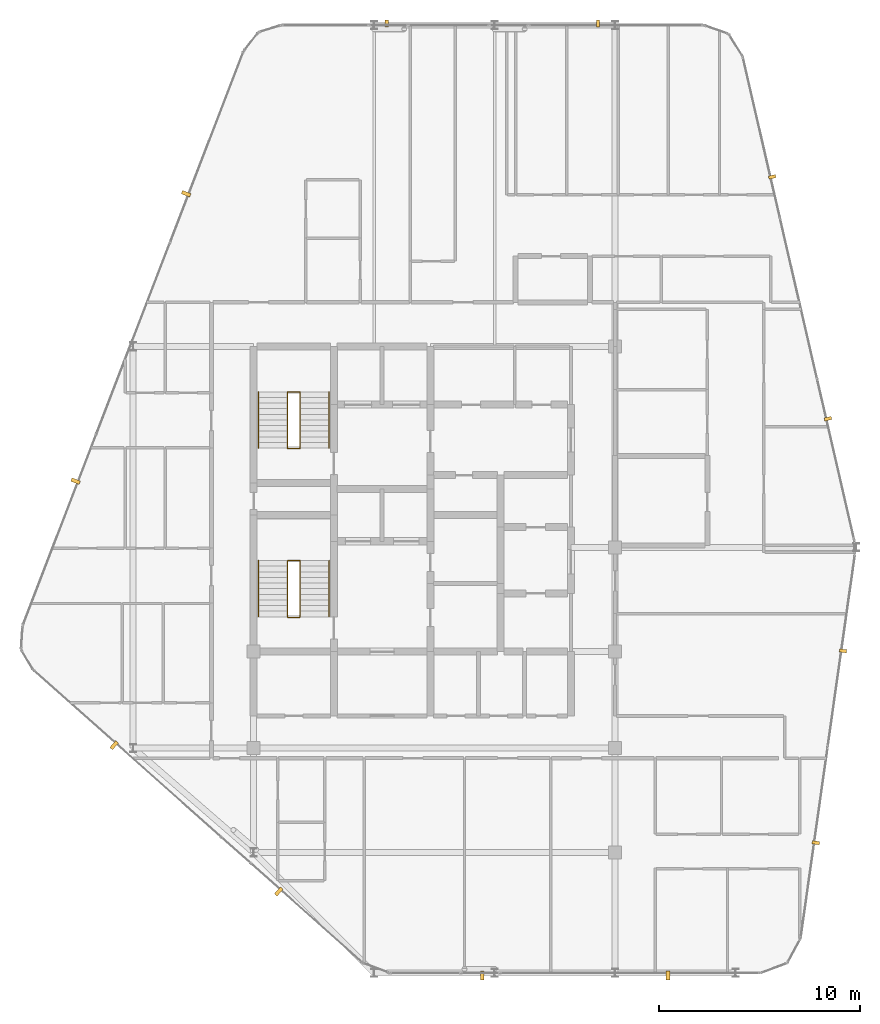
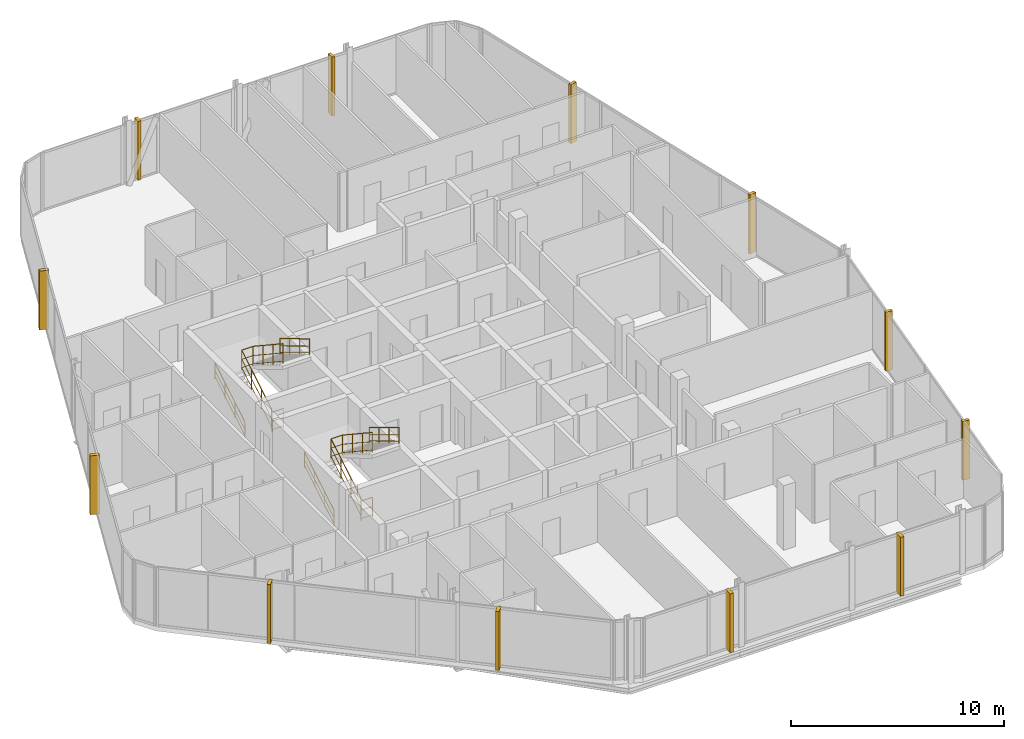
# One storey, part 27 of 27: 12 coverings, 8 railings.
"""IFC4 building model written with IfcOpenShell, lengths in metres."""

import ifcopenshell
import ifcopenshell.guid

model = None  # the IFC model being written
_history = None  # IfcOwnerHistory: only IFC2X3 demands one
_inside = {}  # id of a spatial element -> (the spatial element, [elements in it])
_under = {}  # id of a project, library or spatial element -> (it, [spatial elements below it])
_declared = {}  # id of a project -> (the project, [libraries it declares])
_typed = {}  # id of a type object -> (the type object, [elements of that type])
_made_of = {}  # id of a material, layer set ... -> (it, [elements and type objects made of it])


def new_model(schema):
    """Start an empty IFC model of exactly this schema.

    Asked for "IFC4X3", IfcOpenShell would pick the latest addendum, in which some entities
    have other attributes; the version numbers below select the first issue.
    IFC2X3 requires an IfcOwnerHistory on every rooted entity: one is made here for all.
    """
    global model, _history
    if schema == "IFC4X3":
        model = ifcopenshell.file(schema_version=(4, 3, 0, 0))
    else:
        model = ifcopenshell.file(schema=schema)
    _inside.clear()
    _under.clear()
    _declared.clear()
    _typed.clear()
    _made_of.clear()
    _history = None
    if model.schema == "IFC2X3":
        org = make("IfcOrganization", Name="unknown")
        user = make(
            "IfcPersonAndOrganization",
            ThePerson=make("IfcPerson", FamilyName="unknown"),
            TheOrganization=org,
        )
        app = make(
            "IfcApplication",
            ApplicationDeveloper=org,
            Version="unknown",
            ApplicationFullName="unknown",
            ApplicationIdentifier="unknown",
        )
        _history = make(
            "IfcOwnerHistory",
            OwningUser=user,
            OwningApplication=app,
            ChangeAction="ADDED",
            CreationDate=0,
        )
    return model


def make(cls, **values):
    """One entity of the class cls with the attributes given. An attribute that is None is left unset."""
    return model.create_entity(
        cls, **{name: value for name, value in values.items() if value is not None}
    )


def rooted(cls, **values):
    """An entity with a GlobalId (a new one), such as an element, a storey or a relation."""
    return make(cls, GlobalId=ifcopenshell.guid.new(), OwnerHistory=_history, **values)


def si_unit(unit_type, name, prefix=None):
    """IfcSIUnit, for example si_unit("LENGTHUNIT", "METRE", prefix="MILLI")."""
    return make("IfcSIUnit", UnitType=unit_type, Prefix=prefix, Name=name)


def assignment(units):
    """IfcUnitAssignment: the units of a project."""
    return None if units is None else make("IfcUnitAssignment", Units=units)


def point(xyz):
    """IfcCartesianPoint."""
    return None if xyz is None else make("IfcCartesianPoint", Coordinates=xyz)


def direction(xyz):
    """IfcDirection."""
    return None if xyz is None else make("IfcDirection", DirectionRatios=xyz)


def frame(location, z_axis=None, x_axis=None):
    """IfcAxis2Placement3D, a coordinate frame: its origin and axes. An axis left out is left unset."""
    return make(
        "IfcAxis2Placement3D",
        Location=point(location),
        Axis=direction(z_axis),
        RefDirection=direction(x_axis),
    )


def frame_2d(location, x_axis=None):
    """IfcAxis2Placement2D, a coordinate frame in the plane: its origin and x axis."""
    return make(
        "IfcAxis2Placement2D", Location=point(location), RefDirection=direction(x_axis)
    )


def origin():
    """The frame at (0, 0, 0) with its axes left unset."""
    return frame((0.0, 0.0, 0.0))


def origin_2d():
    """The frame at (0, 0) in the plane with its x axis left unset."""
    return frame_2d((0.0, 0.0))


def place(relative_to, where):
    """IfcLocalPlacement: puts the frame where relative to a parent placement (None: the world)."""
    return make(
        "IfcLocalPlacement", PlacementRelTo=relative_to, RelativePlacement=where
    )


def context(
    kind, dimensions, precision=None, world=None, true_north=None, identifier=None
):
    """IfcGeometricRepresentationContext, for example the 3D "Model" context."""
    return make(
        "IfcGeometricRepresentationContext",
        ContextIdentifier=identifier,
        ContextType=kind,
        CoordinateSpaceDimension=dimensions,
        Precision=precision,
        WorldCoordinateSystem=world,
        TrueNorth=true_north,
    )


def subcontext(parent, identifier, kind, view, scale=None):
    """IfcGeometricRepresentationSubContext, for example "Body" below "Model"."""
    return make(
        "IfcGeometricRepresentationSubContext",
        ContextIdentifier=identifier,
        ContextType=kind,
        ParentContext=parent,
        TargetScale=scale,
        TargetView=view,
    )


def project(units=None, contexts=None):
    """IfcProject with its units and contexts."""
    return rooted(
        "IfcProject",
        Name="project",
        RepresentationContexts=contexts,
        UnitsInContext=assignment(units),
    )


def spatial(cls, under=None, at=None, **own):
    """A site, building, storey or space (cls), placed at a placement, below another one or the project."""
    s = rooted(cls, ObjectPlacement=at, **own)
    if under is not None:
        _under.setdefault(under.id(), (under, []))[1].append(s)
    return s


def profile(cls, at=None, kind="AREA", **sizes):
    """A parametric profile (cls). Its sizes go by their IFC names, for example OverallWidth=200.0."""
    return make(cls, ProfileType=kind, Position=at, **sizes)


def rectangle(**sizes):
    """IfcRectangleProfileDef."""
    return profile("IfcRectangleProfileDef", **sizes)


def circle(**sizes):
    """IfcCircleProfileDef."""
    return profile("IfcCircleProfileDef", **sizes)


def extrude(swept, where, along, depth):
    """IfcExtrudedAreaSolid: the profile swept, set in the frame where, extruded along a direction by depth."""
    return make(
        "IfcExtrudedAreaSolid",
        SweptArea=swept,
        Position=where,
        ExtrudedDirection=direction(along),
        Depth=depth,
    )


def shape(context_of_items, identifier, shape_type, items):
    """IfcShapeRepresentation: the items that make up one representation, for example the "Body"."""
    return make(
        "IfcShapeRepresentation",
        ContextOfItems=context_of_items,
        RepresentationIdentifier=identifier,
        RepresentationType=shape_type,
        Items=items,
    )


def material(Name=None, Category=None):
    """IfcMaterial."""
    return make("IfcMaterial", Name=Name, Category=Category)


def layer(
    of_material, thickness, ventilated=None, Name=None, Category=None, Priority=None
):
    """IfcMaterialLayer: one layer of a wall or slab, of a material (None: an air gap)."""
    return make(
        "IfcMaterialLayer",
        Material=of_material,
        LayerThickness=thickness,
        IsVentilated=ventilated,
        Name=Name,
        Category=Category,
        Priority=Priority,
    )


def layer_set(layers, Name=None):
    """IfcMaterialLayerSet."""
    return make("IfcMaterialLayerSet", MaterialLayers=layers, LayerSetName=Name)


def made_of(thing, what):
    """Note that an element or type object is made of a material, layer set ...; save() writes the relation."""
    if what is not None:
        _made_of.setdefault(what.id(), (what, []))[1].append(thing)
    return thing


def type_object(cls, material=None, **own):
    """A type object (cls), such as IfcWallType, which elements share."""
    return made_of(rooted(cls, **own), material)


def element(
    cls,
    number,
    at=None,
    inside=None,
    cuts=None,
    type_object=None,
    material=None,
    context=None,
    identifier="Body",
    shape_type=None,
    held_by="IfcProductDefinitionShape",
    body=None,
    shapes=None,
    **own,
):
    """One element of the class cls, such as IfcWall. Its Tag is "e" and its number.

    at: its placement. inside: the storey or other place that contains it. cuts: it is an
    opening in that element (IfcRelVoidsElement). A single representation is given by context,
    identifier, shape_type and body (its items); several are given by shapes. held_by: the class
    of the entity that holds the representations. save() writes the other relations.
    """
    e = rooted(cls, Tag="e%d" % number, ObjectPlacement=at, **own)
    if body is not None:
        shapes = [shape(context, identifier, shape_type, body)]
    if shapes is not None:
        e.Representation = make(held_by, Representations=shapes)
    if inside is not None:
        _inside.setdefault(inside.id(), (inside, []))[1].append(e)
    if cuts is not None:
        rooted(
            "IfcRelVoidsElement", RelatingBuildingElement=cuts, RelatedOpeningElement=e
        )
    if type_object is not None:
        _typed.setdefault(type_object.id(), (type_object, []))[1].append(e)
    return made_of(e, material)


def aggregate(whole, parts):
    """IfcRelAggregates: a whole, such as a stair, and the parts it consists of."""
    return rooted("IfcRelAggregates", RelatingObject=whole, RelatedObjects=parts)


def save(model, path):
    """Write the relations noted so far, then the file.

    IfcRelAggregates (storeys below a building ...), IfcRelContainedInSpatialStructure (elements
    in a storey), IfcRelDefinesByType, IfcRelAssociatesMaterial and IfcRelDeclares: one each for
    every whole, place, type object, material and project.
    """
    for whole, parts in _under.values():
        aggregate(whole, parts)
    for where, things in _inside.values():
        rooted(
            "IfcRelContainedInSpatialStructure",
            RelatedElements=things,
            RelatingStructure=where,
        )
    for kind, things in _typed.values():
        rooted("IfcRelDefinesByType", RelatedObjects=things, RelatingType=kind)
    for what, things in _made_of.values():
        rooted("IfcRelAssociatesMaterial", RelatedObjects=things, RelatingMaterial=what)
    for by, libraries in _declared.values():
        rooted("IfcRelDeclares", RelatingContext=by, RelatedDefinitions=libraries)
    model.write(path)


model = new_model("IFC4")

# Units and contexts
model_context = context("Model", 3, precision=1e-05, world=origin(), true_north=direction((0.0, 1.0)))
body_context = subcontext(model_context, "Body", "Model", "MODEL_VIEW")
ifc_project = project(units=[si_unit("LENGTHUNIT", "METRE"), si_unit("AREAUNIT", "SQUARE_METRE"), si_unit("VOLUMEUNIT", "CUBIC_METRE"), si_unit("PLANEANGLEUNIT", "RADIAN"), si_unit("MASSUNIT", "GRAM", prefix="KILO")], contexts=[model_context])

# Site, building, storey
site_placement = place(None, origin())
site = spatial("IfcSite", under=ifc_project, at=site_placement, CompositionType="ELEMENT")
building_placement = place(site_placement, origin())
building = spatial("IfcBuilding", under=site, at=building_placement, Name="Keshet Zoharim Tower", CompositionType="ELEMENT")
storey_placement = place(building_placement, frame((0.0, 0.0, 295.39990234375)))
storey = spatial("IfcBuildingStorey", under=building, at=storey_placement, Name="L74", CompositionType="ELEMENT", Elevation=295.39990234375)

# Coverings
ifc_material_1 = material(Name="Concrete C50/60 precast", Category="concrete")
covering_type_1 = type_object("IfcCoveringType", Name="FIN-SOL-360", PredefinedType="CLADDING", material=ifc_material_1)
for number, where, z_axis, x_axis, name in (
    (1, (21.633056640625, 53.97998046875, 0.000244140625), (0.0, 0.0, 1.0), (1.0, 0.0, 0.0), "L74 Vertical Precast Solar Fin 03"),
    (2, (32.14990234375, 53.97998046875, 0.000244140625), (0.0, 0.0, 1.0), (1.0, 0.0, 0.0), "L74 Vertical Precast Solar Fin 04"),
    (3, (40.824951171875, 46.345947265625, 0.000244140625), (0.0, 0.0, 1.0), (0.224829963294, -0.974398012932, 0.0), "L74 Vertical Precast Solar Fin 05"),
    (4, (43.60400390625, 34.302001953125, 0.000244140625), (0.0, 0.0, 1.0), (0.224829963294, -0.974398012932, 0.0), "L74 Vertical Precast Solar Fin 06"),
    (5, (44.35107421875, 22.742919921875, 0.000244140625), (0.0, 0.0, 1.0), (-0.140137464177, -0.990132057422, 0.0), "L74 Vertical Precast Solar Fin 07"),
    (6, (42.998046875, 13.18701171875, 0.000244140625), (0.0, 0.0, 1.0), (-0.140137464177, -0.990132057422, 0.0), "L74 Vertical Precast Solar Fin 08"),
):
    element("IfcCovering", number, at=place(storey_placement, frame(where, z_axis=z_axis, x_axis=x_axis)), inside=storey, type_object=covering_type_1, Name=name, PredefinedType="CLADDING", context=body_context, shape_type="SweptSolid", body=[
        extrude(rectangle(XDim=0.159912109375, YDim=0.360107421875, at=origin_2d()), origin(), (0.0, 0.0, 1.0), 3.3798828125),
    ])
covering_type_2 = type_object("IfcCoveringType", Name="FIN-SOL-450", PredefinedType="CLADDING", material=ifc_material_1)
for number, where, z_axis, x_axis, name in (
    (7, (6.133056640625, 31.194091796875, 0.000244140625), (0.0, 0.0, 1.0), (0.358990003907, 0.933341404361, 0.0), "L74 Vertical Precast Solar Fin 01"),
    (8, (11.637939453125, 45.507080078125, 0.000244140625), (0.0, 0.0, 1.0), (0.358990003907, 0.933341404361, 0.0), "L74 Vertical Precast Solar Fin 02"),
    (9, (35.636962890625, 6.574951171875, 0.000244140625), (0.0, 0.0, 1.0), (-1.0, 0.0, 0.0), "L74 Vertical Precast Solar Fin 09"),
    (10, (26.385986328125, 6.574951171875, 0.000244140625), (0.0, 0.0, 1.0), (-1.0, 0.0, 0.0), "L74 Vertical Precast Solar Fin 10"),
    (11, (16.25, 10.7548828125, 0.000244140625), (0.0, 0.0, 1.0), (-0.747411833563, 0.66436100958, 0.0), "L74 Vertical Precast Solar Fin 11"),
    (12, (8.051025390625, 18.04296875, 0.000244140625), (0.0, 0.0, 1.0), (-0.747411833563, 0.66436100958, 0.0), "L74 Vertical Precast Solar Fin 12"),
):
    element("IfcCovering", number, at=place(storey_placement, frame(where, z_axis=z_axis, x_axis=x_axis)), inside=storey, type_object=covering_type_2, Name=name, PredefinedType="CLADDING", context=body_context, shape_type="SweptSolid", body=[
        extrude(rectangle(XDim=0.179931640625, YDim=0.449951171875, at=origin_2d()), origin(), (0.0, 0.0, 1.0), 3.3798828125),
    ])

# Railings
ifc_material_2 = material(Name="Steel S355", Category="steel")
ifc_layer_1 = layer(ifc_material_2, 0.050048828125)
ifc_layer_set_1 = layer_set([ifc_layer_1], Name="Steel S355")
railing_type_1 = type_object("IfcRailingType", Name="RL-HND-092", PredefinedType="HANDRAIL", material=ifc_layer_set_1)
railing_1_placement = place(storey_placement, frame((15.239990234375, 24.43994140625, 0.168212890625)))
element("IfcRailing", 13, at=railing_1_placement, inside=storey, type_object=railing_type_1, Name="L74 ST-01 Flight 1 Wall Handrail", PredefinedType="HANDRAIL", context=body_context, shape_type="SweptSolid", body=[
    extrude(circle(Radius=0.02392578125, at=origin_2d()), frame((0.0, 0.0, 0.89599609375), z_axis=(0.0, 0.857242210791, 0.514913383045), x_axis=(-1.0, 0.0, 0.0)), (0.0, 0.0, 1.0), 3.266357421875),
    extrude(circle(Radius=0.01611328125, at=origin_2d()), frame((0.0, 0.0, 0.478271484375), z_axis=(0.0, 0.857242210791, 0.514913383045), x_axis=(-1.0, 0.0, 0.0)), (0.0, 0.0, 1.0), 3.266357421875),
    extrude(circle(Radius=0.01611328125, at=origin_2d()), frame((0.0, 0.0, 0.1201171875), z_axis=(0.0, 0.857242210791, 0.514913383045), x_axis=(-1.0, 0.0, 0.0)), (0.0, 0.0, 1.0), 3.266357421875),
    extrude(circle(Radius=0.02099609375, at=origin_2d()), origin(), (0.0, 0.0, 1.0), 0.871826171875),
    extrude(circle(Radius=0.02099609375, at=origin_2d()), frame((0.0, 0.933349609375, 0.560546875)), (0.0, 0.0, 1.0), 0.871826171875),
    extrude(circle(Radius=0.02099609375, at=origin_2d()), frame((0.0, 1.86669921875, 1.121337890625)), (0.0, 0.0, 1.0), 0.871826171875),
    extrude(circle(Radius=0.02099609375, at=origin_2d()), frame((0.0, 2.800048828125, 1.681884765625)), (0.0, 0.0, 1.0), 0.871826171875),
])
railing_2_placement = place(storey_placement, frame((18.760009765625, 27.239990234375, 2.018310546875)))
element("IfcRailing", 14, at=railing_2_placement, inside=storey, type_object=railing_type_1, Name="L74 ST-01 Flight 2 Wall Handrail", PredefinedType="HANDRAIL", context=body_context, shape_type="SweptSolid", body=[
    extrude(circle(Radius=0.02392578125, at=origin_2d()), frame((0.0, 0.0, 0.89599609375), z_axis=(0.0, -0.857242210791, 0.514913383045), x_axis=(1.0, 0.0, 0.0)), (0.0, 0.0, 1.0), 3.266357421875),
    extrude(circle(Radius=0.01611328125, at=origin_2d()), frame((0.0, 0.0, 0.478271484375), z_axis=(0.0, -0.857242210791, 0.514913383045), x_axis=(1.0, 0.0, 0.0)), (0.0, 0.0, 1.0), 3.266357421875),
    extrude(circle(Radius=0.01611328125, at=origin_2d()), frame((0.0, 0.0, 0.1201171875), z_axis=(0.0, -0.857242210791, 0.514913383045), x_axis=(1.0, 0.0, 0.0)), (0.0, 0.0, 1.0), 3.266357421875),
    extrude(circle(Radius=0.02099609375, at=origin_2d()), origin(), (0.0, 0.0, 1.0), 0.871826171875),
    extrude(circle(Radius=0.02099609375, at=origin_2d()), frame((0.0, -0.933349609375, 0.560546875)), (0.0, 0.0, 1.0), 0.871826171875),
    extrude(circle(Radius=0.02099609375, at=origin_2d()), frame((0.0, -1.86669921875, 1.121337890625)), (0.0, 0.0, 1.0), 0.871826171875),
    extrude(circle(Radius=0.02099609375, at=origin_2d()), frame((0.0, -2.800048828125, 1.681884765625)), (0.0, 0.0, 1.0), 0.871826171875),
])
railing_3_placement = place(storey_placement, frame((15.239990234375, 32.840087890625, 0.168212890625)))
element("IfcRailing", 15, at=railing_3_placement, inside=storey, type_object=railing_type_1, Name="L74 ST-02 Flight 1 Wall Handrail", PredefinedType="HANDRAIL", context=body_context, shape_type="SweptSolid", body=[
    extrude(circle(Radius=0.02392578125, at=origin_2d()), frame((0.0, 0.0, 0.89599609375), z_axis=(0.0, 0.857222391501, 0.514946377315), x_axis=(-1.0, 0.0, 0.0)), (0.0, 0.0, 1.0), 3.26611328125),
    extrude(circle(Radius=0.01611328125, at=origin_2d()), frame((0.0, 0.0, 0.478271484375), z_axis=(0.0, 0.857222391501, 0.514946377315), x_axis=(-1.0, 0.0, 0.0)), (0.0, 0.0, 1.0), 3.26611328125),
    extrude(circle(Radius=0.01611328125, at=origin_2d()), frame((0.0, 0.0, 0.1201171875), z_axis=(0.0, 0.857222391501, 0.514946377315), x_axis=(-1.0, 0.0, 0.0)), (0.0, 0.0, 1.0), 3.26611328125),
    extrude(circle(Radius=0.02099609375, at=origin_2d()), origin(), (0.0, 0.0, 1.0), 0.871826171875),
    extrude(circle(Radius=0.02099609375, at=origin_2d()), frame((0.0, 0.933349609375, 0.560546875)), (0.0, 0.0, 1.0), 0.871826171875),
    extrude(circle(Radius=0.02099609375, at=origin_2d()), frame((0.0, 1.866455078125, 1.121337890625)), (0.0, 0.0, 1.0), 0.871826171875),
    extrude(circle(Radius=0.02099609375, at=origin_2d()), frame((0.0, 2.7998046875, 1.681884765625)), (0.0, 0.0, 1.0), 0.871826171875),
])
railing_4_placement = place(storey_placement, frame((18.760009765625, 35.639892578125, 2.018310546875)))
element("IfcRailing", 16, at=railing_4_placement, inside=storey, type_object=railing_type_1, Name="L74 ST-02 Flight 2 Wall Handrail", PredefinedType="HANDRAIL", context=body_context, shape_type="SweptSolid", body=[
    extrude(circle(Radius=0.02392578125, at=origin_2d()), frame((0.0, 0.0, 0.89599609375), z_axis=(0.0, -0.857222391501, 0.514946377315), x_axis=(1.0, 0.0, 0.0)), (0.0, 0.0, 1.0), 3.26611328125),
    extrude(circle(Radius=0.01611328125, at=origin_2d()), frame((0.0, 0.0, 0.478271484375), z_axis=(0.0, -0.857222391501, 0.514946377315), x_axis=(1.0, 0.0, 0.0)), (0.0, 0.0, 1.0), 3.26611328125),
    extrude(circle(Radius=0.01611328125, at=origin_2d()), frame((0.0, 0.0, 0.1201171875), z_axis=(0.0, -0.857222391501, 0.514946377315), x_axis=(1.0, 0.0, 0.0)), (0.0, 0.0, 1.0), 3.26611328125),
    extrude(circle(Radius=0.02099609375, at=origin_2d()), origin(), (0.0, 0.0, 1.0), 0.871826171875),
    extrude(circle(Radius=0.02099609375, at=origin_2d()), frame((0.0, -0.933349609375, 0.560546875)), (0.0, 0.0, 1.0), 0.871826171875),
    extrude(circle(Radius=0.02099609375, at=origin_2d()), frame((0.0, -1.866455078125, 1.121337890625)), (0.0, 0.0, 1.0), 0.871826171875),
    extrude(circle(Radius=0.02099609375, at=origin_2d()), frame((0.0, -2.7998046875, 1.681884765625)), (0.0, 0.0, 1.0), 0.871826171875),
])
ifc_layer_2 = layer(ifc_material_2, 0.06005859375)
ifc_layer_set_2 = layer_set([ifc_layer_2], Name="Steel S355")
railing_type_2 = type_object("IfcRailingType", Name="RL-STG-115", PredefinedType="GUARDRAIL", material=ifc_layer_set_2)
railing_5_placement = place(storey_placement, frame((16.68994140625, 24.43994140625, 0.168212890625)))
element("IfcRailing", 17, at=railing_5_placement, inside=storey, type_object=railing_type_2, Name="L74 ST-01 Inner Well Guardrail", PredefinedType="GUARDRAIL", context=body_context, shape_type="SweptSolid", body=[
    extrude(circle(Radius=0.02392578125, at=origin_2d()), frame((0.0, 0.0, 1.1259765625), z_axis=(0.0, 0.857242210791, 0.514913383045), x_axis=(-1.0, 0.0, 0.0)), (0.0, 0.0, 1.0), 3.266357421875),
    extrude(circle(Radius=0.01611328125, at=origin_2d()), frame((0.0, 0.0, 0.597900390625), z_axis=(0.0, 0.857242210791, 0.514913383045), x_axis=(-1.0, 0.0, 0.0)), (0.0, 0.0, 1.0), 3.266357421875),
    extrude(circle(Radius=0.01611328125, at=origin_2d()), frame((0.0, 0.0, 0.1201171875), z_axis=(0.0, 0.857242210791, 0.514913383045), x_axis=(-1.0, 0.0, 0.0)), (0.0, 0.0, 1.0), 3.266357421875),
    extrude(circle(Radius=0.02392578125, at=origin_2d()), frame((0.0, 2.800048828125, 2.8076171875), z_axis=(1.0, 0.0, 0.0), x_axis=(0.0, 1.0, 0.0)), (0.0, 0.0, 1.0), 0.6201171875),
    extrude(circle(Radius=0.01611328125, at=origin_2d()), frame((0.0, 2.800048828125, 2.27978515625), z_axis=(1.0, 0.0, 0.0), x_axis=(0.0, 1.0, 0.0)), (0.0, 0.0, 1.0), 0.6201171875),
    extrude(circle(Radius=0.01611328125, at=origin_2d()), frame((0.0, 2.800048828125, 1.802001953125), z_axis=(1.0, 0.0, 0.0), x_axis=(0.0, 1.0, 0.0)), (0.0, 0.0, 1.0), 0.6201171875),
    extrude(circle(Radius=0.02392578125, at=origin_2d()), frame((0.6201171875, 2.800048828125, 2.8076171875), z_axis=(0.0, -0.834326358476, 0.551270829586), x_axis=(1.0, 0.0, 0.0)), (0.0, 0.0, 1.0), 3.35595703125),
    extrude(circle(Radius=0.01611328125, at=origin_2d()), frame((0.6201171875, 2.800048828125, 2.27978515625), z_axis=(0.0, -0.834326358476, 0.551270829586), x_axis=(1.0, 0.0, 0.0)), (0.0, 0.0, 1.0), 3.35595703125),
    extrude(circle(Radius=0.01611328125, at=origin_2d()), frame((0.6201171875, 2.800048828125, 1.802001953125), z_axis=(0.0, -0.834326358476, 0.551270829586), x_axis=(1.0, 0.0, 0.0)), (0.0, 0.0, 1.0), 3.35595703125),
    extrude(circle(Radius=0.02099609375, at=origin_2d()), origin(), (0.0, 0.0, 1.0), 1.101806640625),
    extrude(circle(Radius=0.02099609375, at=origin_2d()), frame((0.0, 0.933349609375, 0.560546875)), (0.0, 0.0, 1.0), 1.101806640625),
    extrude(circle(Radius=0.02099609375, at=origin_2d()), frame((0.0, 1.86669921875, 1.121337890625)), (0.0, 0.0, 1.0), 1.101806640625),
    extrude(circle(Radius=0.02099609375, at=origin_2d()), frame((0.0, 2.800048828125, 1.681884765625)), (0.0, 0.0, 1.0), 1.101806640625),
    extrude(circle(Radius=0.02099609375, at=origin_2d()), frame((0.6201171875, 2.800048828125, 1.681884765625)), (0.0, 0.0, 1.0), 1.101806640625),
    extrude(circle(Radius=0.02099609375, at=origin_2d()), frame((0.6201171875, 1.86669921875, 2.298583984375)), (0.0, 0.0, 1.0), 1.101806640625),
    extrude(circle(Radius=0.02099609375, at=origin_2d()), frame((0.6201171875, 0.933349609375, 2.915283203125)), (0.0, 0.0, 1.0), 1.101806640625),
    extrude(circle(Radius=0.02099609375, at=origin_2d()), frame((0.6201171875, 0.0, 3.531982421875)), (0.0, 0.0, 1.0), 1.101806640625),
])
railing_6_placement = place(storey_placement, frame((16.68994140625, 24.409912109375, 0.0)))
element("IfcRailing", 18, at=railing_6_placement, inside=storey, type_object=railing_type_2, Name="L74 ST-01 Stairwell Floor Guardrail", PredefinedType="GUARDRAIL", context=body_context, shape_type="SweptSolid", body=[
    extrude(circle(Radius=0.02392578125, at=origin_2d()), frame((0.0, 0.0, 1.1259765625), z_axis=(1.0, 0.0, 0.0), x_axis=(0.0, 1.0, 0.0)), (0.0, 0.0, 1.0), 0.6201171875),
    extrude(circle(Radius=0.01611328125, at=origin_2d()), frame((0.0, 0.0, 0.597900390625), z_axis=(1.0, 0.0, 0.0), x_axis=(0.0, 1.0, 0.0)), (0.0, 0.0, 1.0), 0.6201171875),
    extrude(circle(Radius=0.01611328125, at=origin_2d()), frame((0.0, 0.0, 0.1201171875), z_axis=(1.0, 0.0, 0.0), x_axis=(0.0, 1.0, 0.0)), (0.0, 0.0, 1.0), 0.6201171875),
    extrude(circle(Radius=0.02099609375, at=origin_2d()), origin(), (0.0, 0.0, 1.0), 1.101806640625),
    extrude(circle(Radius=0.02099609375, at=origin_2d()), frame((0.6201171875, 0.0, 0.0)), (0.0, 0.0, 1.0), 1.101806640625),
])
railing_7_placement = place(storey_placement, frame((16.68994140625, 32.840087890625, 0.168212890625)))
element("IfcRailing", 19, at=railing_7_placement, inside=storey, type_object=railing_type_2, Name="L74 ST-02 Inner Well Guardrail", PredefinedType="GUARDRAIL", context=body_context, shape_type="SweptSolid", body=[
    extrude(circle(Radius=0.02392578125, at=origin_2d()), frame((0.0, 0.0, 1.1259765625), z_axis=(0.0, 0.857222391501, 0.514946377315), x_axis=(-1.0, 0.0, 0.0)), (0.0, 0.0, 1.0), 3.26611328125),
    extrude(circle(Radius=0.01611328125, at=origin_2d()), frame((0.0, 0.0, 0.597900390625), z_axis=(0.0, 0.857222391501, 0.514946377315), x_axis=(-1.0, 0.0, 0.0)), (0.0, 0.0, 1.0), 3.26611328125),
    extrude(circle(Radius=0.01611328125, at=origin_2d()), frame((0.0, 0.0, 0.1201171875), z_axis=(0.0, 0.857222391501, 0.514946377315), x_axis=(-1.0, 0.0, 0.0)), (0.0, 0.0, 1.0), 3.26611328125),
    extrude(circle(Radius=0.02392578125, at=origin_2d()), frame((0.0, 2.7998046875, 2.8076171875), z_axis=(1.0, 0.0, 0.0), x_axis=(0.0, 1.0, 0.0)), (0.0, 0.0, 1.0), 0.6201171875),
    extrude(circle(Radius=0.01611328125, at=origin_2d()), frame((0.0, 2.7998046875, 2.27978515625), z_axis=(1.0, 0.0, 0.0), x_axis=(0.0, 1.0, 0.0)), (0.0, 0.0, 1.0), 0.6201171875),
    extrude(circle(Radius=0.01611328125, at=origin_2d()), frame((0.0, 2.7998046875, 1.802001953125), z_axis=(1.0, 0.0, 0.0), x_axis=(0.0, 1.0, 0.0)), (0.0, 0.0, 1.0), 0.6201171875),
    extrude(circle(Radius=0.02392578125, at=origin_2d()), frame((0.6201171875, 2.7998046875, 2.8076171875), z_axis=(0.0, -0.834304248922, 0.551304290053), x_axis=(1.0, 0.0, 0.0)), (0.0, 0.0, 1.0), 3.35595703125),
    extrude(circle(Radius=0.01611328125, at=origin_2d()), frame((0.6201171875, 2.7998046875, 2.27978515625), z_axis=(0.0, -0.834304248922, 0.551304290053), x_axis=(1.0, 0.0, 0.0)), (0.0, 0.0, 1.0), 3.35595703125),
    extrude(circle(Radius=0.01611328125, at=origin_2d()), frame((0.6201171875, 2.7998046875, 1.802001953125), z_axis=(0.0, -0.834304248922, 0.551304290053), x_axis=(1.0, 0.0, 0.0)), (0.0, 0.0, 1.0), 3.35595703125),
    extrude(circle(Radius=0.02099609375, at=origin_2d()), origin(), (0.0, 0.0, 1.0), 1.101806640625),
    extrude(circle(Radius=0.02099609375, at=origin_2d()), frame((0.0, 0.933349609375, 0.560546875)), (0.0, 0.0, 1.0), 1.101806640625),
    extrude(circle(Radius=0.02099609375, at=origin_2d()), frame((0.0, 1.866455078125, 1.121337890625)), (0.0, 0.0, 1.0), 1.101806640625),
    extrude(circle(Radius=0.02099609375, at=origin_2d()), frame((0.0, 2.7998046875, 1.681884765625)), (0.0, 0.0, 1.0), 1.101806640625),
    extrude(circle(Radius=0.02099609375, at=origin_2d()), frame((0.6201171875, 2.7998046875, 1.681884765625)), (0.0, 0.0, 1.0), 1.101806640625),
    extrude(circle(Radius=0.02099609375, at=origin_2d()), frame((0.6201171875, 1.866455078125, 2.298583984375)), (0.0, 0.0, 1.0), 1.101806640625),
    extrude(circle(Radius=0.02099609375, at=origin_2d()), frame((0.6201171875, 0.933349609375, 2.915283203125)), (0.0, 0.0, 1.0), 1.101806640625),
    extrude(circle(Radius=0.02099609375, at=origin_2d()), frame((0.6201171875, 0.0, 3.531982421875)), (0.0, 0.0, 1.0), 1.101806640625),
])
railing_8_placement = place(storey_placement, frame((16.68994140625, 32.81005859375, 0.0)))
element("IfcRailing", 20, at=railing_8_placement, inside=storey, type_object=railing_type_2, Name="L74 ST-02 Stairwell Floor Guardrail", PredefinedType="GUARDRAIL", context=body_context, shape_type="SweptSolid", body=[
    extrude(circle(Radius=0.02392578125, at=origin_2d()), frame((0.0, 0.0, 1.1259765625), z_axis=(1.0, 0.0, 0.0), x_axis=(0.0, 1.0, 0.0)), (0.0, 0.0, 1.0), 0.6201171875),
    extrude(circle(Radius=0.01611328125, at=origin_2d()), frame((0.0, 0.0, 0.597900390625), z_axis=(1.0, 0.0, 0.0), x_axis=(0.0, 1.0, 0.0)), (0.0, 0.0, 1.0), 0.6201171875),
    extrude(circle(Radius=0.01611328125, at=origin_2d()), frame((0.0, 0.0, 0.1201171875), z_axis=(1.0, 0.0, 0.0), x_axis=(0.0, 1.0, 0.0)), (0.0, 0.0, 1.0), 0.6201171875),
    extrude(circle(Radius=0.02099609375, at=origin_2d()), origin(), (0.0, 0.0, 1.0), 1.101806640625),
    extrude(circle(Radius=0.02099609375, at=origin_2d()), frame((0.6201171875, 0.0, 0.0)), (0.0, 0.0, 1.0), 1.101806640625),
])

save(model, "model.ifc")
